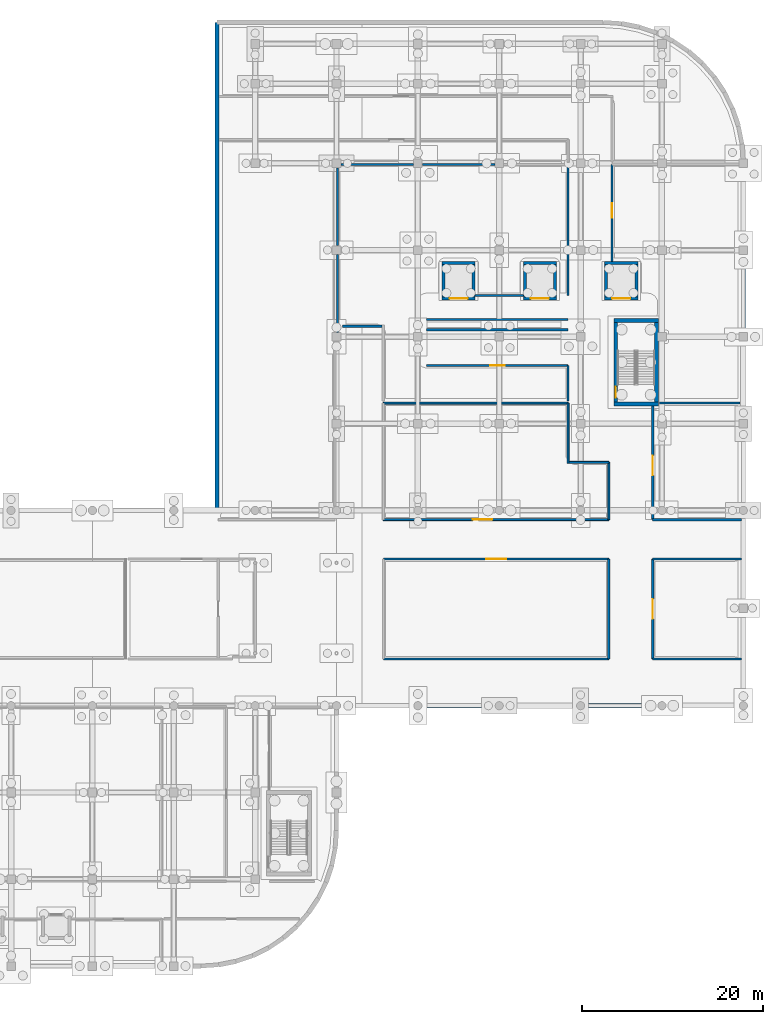
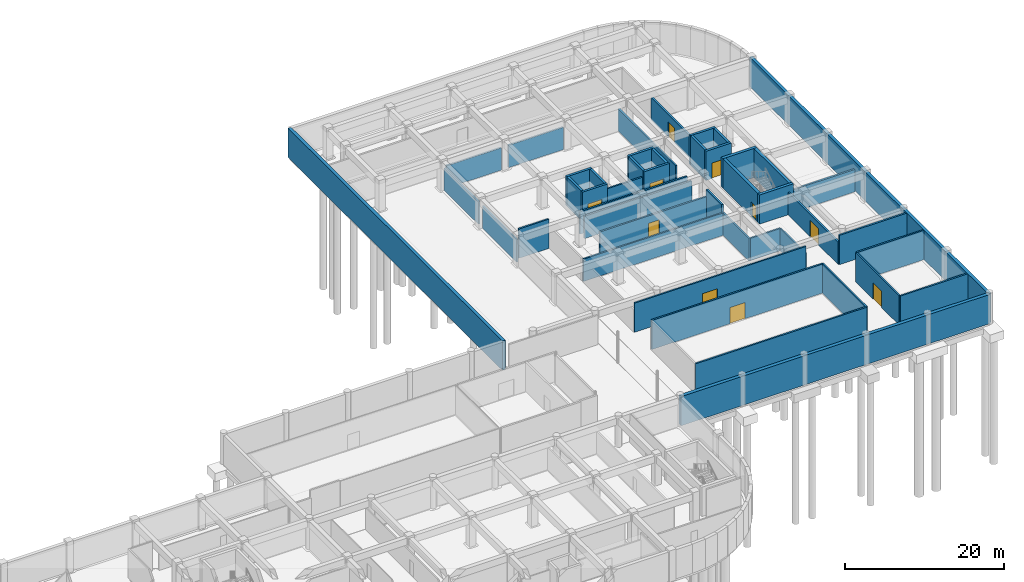
# One storey, part 18 of 47: 45 walls, 10 doors, 10 openings.
"""IFC4 building model written with IfcOpenShell, lengths in metres."""

from ifc_helpers import new_model, si_unit, direction, frame, frame_2d, origin, place, context, subcontext, project, spatial, rectangle, extrude, material, layer, layer_set, type_object, element, fill, save


model = new_model("IFC4")

# Units and contexts
model_context = context("Model", 3, precision=1e-05, world=origin(), true_north=direction((0.0, 1.0)))
body_context = subcontext(model_context, "Body", "Model", "MODEL_VIEW")
ifc_project = project(units=[si_unit("LENGTHUNIT", "METRE"), si_unit("AREAUNIT", "SQUARE_METRE"), si_unit("VOLUMEUNIT", "CUBIC_METRE"), si_unit("PLANEANGLEUNIT", "RADIAN"), si_unit("MASSUNIT", "GRAM", prefix="KILO")], contexts=[model_context])

# Site, building, storey
site_placement = place(None, origin())
site = spatial("IfcSite", under=ifc_project, at=site_placement, CompositionType="ELEMENT")
building_placement = place(site_placement, origin())
building = spatial("IfcBuilding", under=site, at=building_placement, Name="Cendralis Terraced Arcade", CompositionType="ELEMENT")
storey_placement = place(building_placement, frame((0.0, 0.0, -4.800048828125)))
storey = spatial("IfcBuildingStorey", under=building, at=storey_placement, Name="B1", CompositionType="ELEMENT", Elevation=-4.800048828125)

# Wall, opening, door
ifc_material_1 = material(Name="Concrete f'c 42 MPa", Category="concrete")
ifc_layer_1 = layer(ifc_material_1, 0.340087890625, Name="WL-CORE-340")
ifc_layer_set_1 = layer_set([ifc_layer_1], Name="Concrete f'c 42 MPa")
wall_type_1 = type_object("IfcWallType", Name="WL-CORE-340", PredefinedType="SHEAR", material=ifc_layer_set_1)
wall_1_placement = place(storey_placement, frame((132.860107421875, 83.429931640625, 0.0), z_axis=(0.0, 0.0, 1.0), x_axis=(1.0, 0.0, 0.0)))
wall_1 = element("IfcWall", 1, at=wall_1_placement, inside=storey, type_object=wall_type_1, Name="Lift GL-01 Reinforced Concrete Shaft Wall (B1)", PredefinedType="SHEAR", context=body_context, shape_type="SweptSolid", body=[
    extrude(rectangle(XDim=3.679931640625, YDim=0.340087890625, at=frame_2d((1.83984375, 0.0))), origin(), (0.0, 0.0, 1.0), 4.5),
])
opening_1_placement = place(wall_1_placement, frame((0.840087890625, 0.0, 0.0)))
opening_1 = element("IfcOpeningElement", 2, at=opening_1_placement, cuts=wall_1, Name="Opening LD-GL-01-B1", PredefinedType="OPENING", context=body_context, shape_type="SweptSolid", body=[
    extrude(rectangle(XDim=2.0, YDim=2.39990234375, at=frame_2d((1.0, 1.199951171875))), frame((0.0, 0.18212890625, 0.0), z_axis=(0.0, -1.0, 0.0), x_axis=(1.0, 0.0, 0.0)), (0.0, 0.0, 1.0), 0.364013671875),
])
ifc_material_2 = material(Name="Anodised aluminium sliding door assembly", Category="aluminium")
door_type_1 = type_object("IfcDoorType", Name="ID-LD-GD-2000x2400", OperationType="DOUBLE_DOOR_SLIDING", PredefinedType="DOOR", material=ifc_material_2)
door_1_placement = place(opening_1_placement, origin())
door_1 = element("IfcDoor", 3, at=door_1_placement, inside=storey, type_object=door_type_1, Name="Lift GL-01 Sliding Landing Door (B1)", OperationType="DOUBLE_DOOR_SLIDING", OverallHeight=2.39990234375, OverallWidth=2.0, PredefinedType="DOOR", context=body_context, shape_type="SweptSolid", body=[
    extrude(rectangle(XDim=2.0, YDim=2.39990234375, at=frame_2d((1.0, 1.199951171875))), frame((0.0, 0.02490234375, 0.0), z_axis=(0.0, -1.0, 0.0), x_axis=(1.0, 0.0, 0.0)), (0.0, 0.0, 1.0), 0.050048828125),
])
fill(opening_1, door_1)

# Walls
wall_2_placement = place(storey_placement, frame((132.860107421875, 87.3701171875, 0.0), z_axis=(0.0, 0.0, 1.0), x_axis=(1.0, 0.0, 0.0)))
element("IfcWall", 4, at=wall_2_placement, inside=storey, type_object=wall_type_1, Name="Lift GL-01 Reinforced Concrete Shaft Wall (B1)", PredefinedType="SHEAR", context=body_context, shape_type="SweptSolid", body=[
    extrude(rectangle(XDim=3.679931640625, YDim=0.340087890625, at=frame_2d((1.83984375, 0.0))), origin(), (0.0, 0.0, 1.0), 4.5),
])
for number, where, z_axis, x_axis, name in (
    (5, (133.030029296875, 83.60009765625, 0.0), (0.0, 0.0, 1.0), (0.0, 1.0, 0.0), "Lift GL-01 Reinforced Concrete Shaft Wall (B1)"),
    (6, (136.3701171875, 83.60009765625, 0.0), (0.0, 0.0, 1.0), (0.0, 1.0, 0.0), "Lift GL-01 Reinforced Concrete Shaft Wall (B1)"),
):
    element("IfcWall", number, at=place(storey_placement, frame(where, z_axis=z_axis, x_axis=x_axis)), inside=storey, type_object=wall_type_1, Name=name, PredefinedType="SHEAR", context=body_context, shape_type="SweptSolid", body=[
        extrude(rectangle(XDim=3.599853515625, YDim=0.340087890625, at=frame_2d((1.7998046875, 0.0))), origin(), (0.0, 0.0, 1.0), 4.5),
    ])

# Wall, opening, door
wall_3_placement = place(storey_placement, frame((141.860107421875, 83.429931640625, 0.0), z_axis=(0.0, 0.0, 1.0), x_axis=(1.0, 0.0, 0.0)))
wall_3 = element("IfcWall", 7, at=wall_3_placement, inside=storey, type_object=wall_type_1, Name="Lift GL-02 Reinforced Concrete Shaft Wall (B1)", PredefinedType="SHEAR", context=body_context, shape_type="SweptSolid", body=[
    extrude(rectangle(XDim=3.679931640625, YDim=0.340087890625, at=frame_2d((1.83984375, 0.0))), origin(), (0.0, 0.0, 1.0), 4.5),
])
opening_2_placement = place(wall_3_placement, frame((0.840087890625, 0.0, 0.0)))
opening_2 = element("IfcOpeningElement", 8, at=opening_2_placement, cuts=wall_3, Name="Opening LD-GL-02-B1", PredefinedType="OPENING", context=body_context, shape_type="SweptSolid", body=[
    extrude(rectangle(XDim=2.0, YDim=2.39990234375, at=frame_2d((1.0, 1.199951171875))), frame((0.0, 0.18212890625, 0.0), z_axis=(0.0, -1.0, 0.0), x_axis=(1.0, 0.0, 0.0)), (0.0, 0.0, 1.0), 0.364013671875),
])
door_2_placement = place(opening_2_placement, origin())
door_2 = element("IfcDoor", 9, at=door_2_placement, inside=storey, type_object=door_type_1, Name="Lift GL-02 Sliding Landing Door (B1)", OperationType="DOUBLE_DOOR_SLIDING", OverallHeight=2.39990234375, OverallWidth=2.0, PredefinedType="DOOR", context=body_context, shape_type="SweptSolid", body=[
    extrude(rectangle(XDim=2.0, YDim=2.39990234375, at=frame_2d((1.0, 1.199951171875))), frame((0.0, 0.02490234375, 0.0), z_axis=(0.0, -1.0, 0.0), x_axis=(1.0, 0.0, 0.0)), (0.0, 0.0, 1.0), 0.050048828125),
])
fill(opening_2, door_2)

# Walls
wall_4_placement = place(storey_placement, frame((141.860107421875, 87.3701171875, 0.0), z_axis=(0.0, 0.0, 1.0), x_axis=(1.0, 0.0, 0.0)))
element("IfcWall", 10, at=wall_4_placement, inside=storey, type_object=wall_type_1, Name="Lift GL-02 Reinforced Concrete Shaft Wall (B1)", PredefinedType="SHEAR", context=body_context, shape_type="SweptSolid", body=[
    extrude(rectangle(XDim=3.679931640625, YDim=0.340087890625, at=frame_2d((1.83984375, 0.0))), origin(), (0.0, 0.0, 1.0), 4.5),
])
for number, where, z_axis, x_axis, name in (
    (11, (142.030029296875, 83.60009765625, 0.0), (0.0, 0.0, 1.0), (0.0, 1.0, 0.0), "Lift GL-02 Reinforced Concrete Shaft Wall (B1)"),
    (12, (145.3701171875, 83.60009765625, 0.0), (0.0, 0.0, 1.0), (0.0, 1.0, 0.0), "Lift GL-02 Reinforced Concrete Shaft Wall (B1)"),
):
    element("IfcWall", number, at=place(storey_placement, frame(where, z_axis=z_axis, x_axis=x_axis)), inside=storey, type_object=wall_type_1, Name=name, PredefinedType="SHEAR", context=body_context, shape_type="SweptSolid", body=[
        extrude(rectangle(XDim=3.599853515625, YDim=0.340087890625, at=frame_2d((1.7998046875, 0.0))), origin(), (0.0, 0.0, 1.0), 4.5),
    ])

# Wall, opening, door
wall_5_placement = place(storey_placement, frame((150.860107421875, 83.429931640625, 0.0), z_axis=(0.0, 0.0, 1.0), x_axis=(1.0, 0.0, 0.0)))
wall_5 = element("IfcWall", 13, at=wall_5_placement, inside=storey, type_object=wall_type_1, Name="Lift GL-03 Reinforced Concrete Shaft Wall (B1)", PredefinedType="SHEAR", context=body_context, shape_type="SweptSolid", body=[
    extrude(rectangle(XDim=3.679931640625, YDim=0.340087890625, at=frame_2d((1.83984375, 0.0))), origin(), (0.0, 0.0, 1.0), 4.5),
])
opening_3_placement = place(wall_5_placement, frame((0.840087890625, 0.0, 0.0)))
opening_3 = element("IfcOpeningElement", 14, at=opening_3_placement, cuts=wall_5, Name="Opening LD-GL-03-B1", PredefinedType="OPENING", context=body_context, shape_type="SweptSolid", body=[
    extrude(rectangle(XDim=2.0, YDim=2.39990234375, at=frame_2d((1.0, 1.199951171875))), frame((0.0, 0.18212890625, 0.0), z_axis=(0.0, -1.0, 0.0), x_axis=(1.0, 0.0, 0.0)), (0.0, 0.0, 1.0), 0.364013671875),
])
door_3_placement = place(opening_3_placement, origin())
door_3 = element("IfcDoor", 15, at=door_3_placement, inside=storey, type_object=door_type_1, Name="Lift GL-03 Sliding Landing Door (B1)", OperationType="DOUBLE_DOOR_SLIDING", OverallHeight=2.39990234375, OverallWidth=2.0, PredefinedType="DOOR", context=body_context, shape_type="SweptSolid", body=[
    extrude(rectangle(XDim=2.0, YDim=2.39990234375, at=frame_2d((1.0, 1.199951171875))), frame((0.0, 0.02490234375, 0.0), z_axis=(0.0, -1.0, 0.0), x_axis=(1.0, 0.0, 0.0)), (0.0, 0.0, 1.0), 0.050048828125),
])
fill(opening_3, door_3)

# Walls
wall_6_placement = place(storey_placement, frame((150.860107421875, 87.3701171875, 0.0), z_axis=(0.0, 0.0, 1.0), x_axis=(1.0, 0.0, 0.0)))
element("IfcWall", 16, at=wall_6_placement, inside=storey, type_object=wall_type_1, Name="Lift GL-03 Reinforced Concrete Shaft Wall (B1)", PredefinedType="SHEAR", context=body_context, shape_type="SweptSolid", body=[
    extrude(rectangle(XDim=3.679931640625, YDim=0.340087890625, at=frame_2d((1.83984375, 0.0))), origin(), (0.0, 0.0, 1.0), 4.5),
])
for number, where, z_axis, x_axis, name in (
    (17, (151.030029296875, 83.60009765625, 0.0), (0.0, 0.0, 1.0), (0.0, 1.0, 0.0), "Lift GL-03 Reinforced Concrete Shaft Wall (B1)"),
    (18, (154.3701171875, 83.60009765625, 0.0), (0.0, 0.0, 1.0), (0.0, 1.0, 0.0), "Lift GL-03 Reinforced Concrete Shaft Wall (B1)"),
):
    element("IfcWall", number, at=place(storey_placement, frame(where, z_axis=z_axis, x_axis=x_axis)), inside=storey, type_object=wall_type_1, Name=name, PredefinedType="SHEAR", context=body_context, shape_type="SweptSolid", body=[
        extrude(rectangle(XDim=3.599853515625, YDim=0.340087890625, at=frame_2d((1.7998046875, 0.0))), origin(), (0.0, 0.0, 1.0), 4.5),
    ])
ifc_layer_2 = layer(ifc_material_1, 0.419921875, Name="WL-CORE-420")
ifc_layer_set_2 = layer_set([ifc_layer_2], Name="Concrete f'c 42 MPa")
wall_type_2 = type_object("IfcWallType", Name="WL-CORE-420", PredefinedType="SHEAR", material=ifc_layer_set_2)
for number, where, z_axis, x_axis, name in (
    (19, (151.8798828125, 71.7900390625, 0.0), (0.0, 0.0, 1.0), (1.0, 0.0, 0.0), "Stair Core Reinforced Concrete Shear Wall SW-ST-06-B1-S"),
    (20, (151.8798828125, 81.010009765625, 0.0), (0.0, 0.0, 1.0), (1.0, 0.0, 0.0), "Stair Core Reinforced Concrete Shear Wall SW-ST-06-B1-N"),
):
    element("IfcWall", number, at=place(storey_placement, frame(where, z_axis=z_axis, x_axis=x_axis)), inside=storey, type_object=wall_type_2, Name=name, PredefinedType="SHEAR", context=body_context, shape_type="SweptSolid", body=[
        extrude(rectangle(XDim=4.940185546875, YDim=0.419921875, at=frame_2d((2.47021484375, 0.0))), origin(), (0.0, 0.0, 1.0), 4.5),
    ])
wall_7_placement = place(storey_placement, frame((156.610107421875, 72.0, 0.0), z_axis=(0.0, 0.0, 1.0), x_axis=(0.0, 1.0, 0.0)))
element("IfcWall", 21, at=wall_7_placement, inside=storey, type_object=wall_type_2, Name="Stair Core Reinforced Concrete Shear Wall SW-ST-06-B1-E", PredefinedType="SHEAR", context=body_context, shape_type="SweptSolid", body=[
    extrude(rectangle(XDim=8.800048828125, YDim=0.419921875, at=frame_2d((4.39990234375, 0.0))), origin(), (0.0, 0.0, 1.0), 4.5),
])

# Wall, opening, door
wall_8_placement = place(storey_placement, frame((152.090087890625, 72.0, 0.0), z_axis=(0.0, 0.0, 1.0), x_axis=(0.0, 1.0, 0.0)))
wall_8 = element("IfcWall", 22, at=wall_8_placement, inside=storey, type_object=wall_type_2, Name="Stair Core Reinforced Concrete Shear Wall SW-ST-06-B1-W", PredefinedType="SHEAR", context=body_context, shape_type="SweptSolid", body=[
    extrude(rectangle(XDim=8.800048828125, YDim=0.419921875, at=frame_2d((4.39990234375, 0.0))), origin(), (0.0, 0.0, 1.0), 4.5),
])
opening_4_placement = place(wall_8_placement, frame((0.449951171875, 0.0, 0.0)))
opening_4 = element("IfcOpeningElement", 23, at=opening_4_placement, cuts=wall_8, Name="Opening D-ST-06-B1", PredefinedType="OPENING", context=body_context, shape_type="SweptSolid", body=[
    extrude(rectangle(XDim=1.25, YDim=2.199951171875, at=frame_2d((0.625, 1.10009765625))), frame((0.0, 0.221923828125, 0.0), z_axis=(0.0, -1.0, 0.0), x_axis=(1.0, 0.0, 0.0)), (0.0, 0.0, 1.0), 0.44384765625),
])
ifc_material_3 = material(Name="Galvanised fire-rated steel door assembly", Category="steel")
door_type_2 = type_object("IfcDoorType", Name="ID-ST-1250x2200", OperationType="NOTDEFINED", PredefinedType="DOOR", material=ifc_material_3)
door_4_placement = place(opening_4_placement, frame((1.25, 0.0, 0.0), z_axis=(0.0, 0.0, 1.0), x_axis=(-1.0, 0.0, 0.0)))
door_4 = element("IfcDoor", 24, at=door_4_placement, inside=storey, type_object=door_type_2, Name="Protected Stair ST-06 Fire Door (B1)", OperationType="SINGLE_SWING_RIGHT", OverallHeight=2.199951171875, OverallWidth=1.25, PredefinedType="DOOR", context=body_context, shape_type="SweptSolid", body=[
    extrude(rectangle(XDim=1.25, YDim=2.199951171875, at=frame_2d((0.625, 1.10009765625))), frame((0.0, 0.02490234375, 0.0), z_axis=(0.0, -1.0, 0.0), x_axis=(1.0, 0.0, 0.0)), (0.0, 0.0, 1.0), 0.050048828125),
])
fill(opening_4, door_4)

ifc_material_4 = material(Name="Autoclaved aerated concrete blockwork", Category="masonry")
ifc_layer_3 = layer(ifc_material_4, 0.215087890625, Name="WL-FIRE-215")
ifc_layer_set_3 = layer_set([ifc_layer_3], Name="Autoclaved aerated concrete blockwork")
wall_type_3 = type_object("IfcWallType", Name="WL-FIRE-215", PredefinedType="PARTITIONING", material=ifc_layer_set_3)
wall_9_placement = place(storey_placement, frame((151.320068359375, 58.97998046875, 0.0), z_axis=(0.0, 0.0, 1.0), x_axis=(-1.0, 0.0, 0.0)))
wall_9 = element("IfcWall", 25, at=wall_9_placement, inside=storey, type_object=wall_type_3, Name="Interior Partition Wall IW-B1-0160", PredefinedType="PARTITIONING", context=body_context, shape_type="SweptSolid", body=[
    extrude(rectangle(XDim=24.940185546875, YDim=0.215087890625, at=frame_2d((12.47021484375, 0.0))), origin(), (0.0, 0.0, 1.0), 4.5),
])
opening_5_placement = place(wall_9_placement, frame((12.8701171875, 0.0, 0.0)))
opening_5 = element("IfcOpeningElement", 26, at=opening_5_placement, cuts=wall_9, Name="Opening D-B1-052", PredefinedType="OPENING", context=body_context, shape_type="SweptSolid", body=[
    extrude(rectangle(XDim=2.199951171875, YDim=2.5, at=frame_2d((1.10009765625, 1.25))), frame((0.0, 0.11962890625, 0.0), z_axis=(0.0, -1.0, 0.0), x_axis=(1.0, 0.0, 0.0)), (0.0, 0.0, 1.0), 0.239013671875),
])
door_type_3 = type_object("IfcDoorType", Name="ID-STK-2200x2500", OperationType="DOUBLE_DOOR_SINGLE_SWING", PredefinedType="DOOR", material=ifc_material_3)
door_5_placement = place(opening_5_placement, origin())
door_5 = element("IfcDoor", 27, at=door_5_placement, inside=storey, type_object=door_type_3, Name="Central Stockrooms and Automated Picking Door D-B1-052", OperationType="DOUBLE_DOOR_SINGLE_SWING", OverallHeight=2.5, OverallWidth=2.199951171875, PredefinedType="DOOR", context=body_context, shape_type="SweptSolid", body=[
    extrude(rectangle(XDim=2.199951171875, YDim=2.5, at=frame_2d((1.10009765625, 1.25))), frame((0.0, 0.02490234375, 0.0), z_axis=(0.0, -1.0, 0.0), x_axis=(1.0, 0.0, 0.0)), (0.0, 0.0, 1.0), 0.050048828125),
])
fill(opening_5, door_5)

# Walls
wall_10_placement = place(storey_placement, frame((126.3798828125, 71.8798828125, 0.0), z_axis=(0.0, 0.0, 1.0), x_axis=(1.0, 0.0, 0.0)))
element("IfcWall", 28, at=wall_10_placement, inside=storey, type_object=wall_type_3, Name="Interior Partition Wall IW-B1-0161", PredefinedType="PARTITIONING", context=body_context, shape_type="SweptSolid", body=[
    extrude(rectangle(XDim=20.440185546875, YDim=0.215087890625, at=frame_2d((10.22021484375, 0.0))), origin(), (0.0, 0.0, 1.0), 3.43994140625),
])
wall_11_placement = place(storey_placement, frame((151.320068359375, 65.320068359375, 0.0), z_axis=(0.0, 0.0, 1.0), x_axis=(0.0, -1.0, 0.0)))
element("IfcWall", 29, at=wall_11_placement, inside=storey, type_object=wall_type_3, Name="Interior Partition Wall IW-B1-0163", PredefinedType="PARTITIONING", context=body_context, shape_type="SweptSolid", body=[
    extrude(rectangle(XDim=6.340087890625, YDim=0.215087890625, at=frame_2d((3.169921875, 0.0))), origin(), (0.0, 0.0, 1.0), 3.43994140625),
])
wall_12_placement = place(storey_placement, frame((146.820068359375, 71.8798828125, 0.0), z_axis=(0.0, 0.0, 1.0), x_axis=(0.0, -1.0, 0.0)))
element("IfcWall", 30, at=wall_12_placement, inside=storey, type_object=wall_type_3, Name="Interior Partition Wall IW-B1-0164", PredefinedType="PARTITIONING", context=body_context, shape_type="SweptSolid", body=[
    extrude(rectangle(XDim=6.66748046875, YDim=0.215087890625, at=frame_2d((3.333740234375, 0.0))), origin(), (0.0, 0.0, 1.0), 3.43994140625),
])
wall_13_placement = place(storey_placement, frame((146.927490234375, 65.320068359375, 0.0), z_axis=(0.0, 0.0, 1.0), x_axis=(1.0, 0.0, 0.0)))
element("IfcWall", 31, at=wall_13_placement, inside=storey, type_object=wall_type_3, Name="Interior Partition Wall IW-B1-0165", PredefinedType="PARTITIONING", context=body_context, shape_type="SweptSolid", body=[
    extrude(rectangle(XDim=4.392578125, YDim=0.215087890625, at=frame_2d((2.1962890625, 0.0))), origin(), (0.0, 0.0, 1.0), 3.43994140625),
])

# Wall, opening, door
ifc_layer_4 = layer(ifc_material_4, 0.235107421875, Name="WL-FIRE-235")
ifc_layer_set_4 = layer_set([ifc_layer_4], Name="Autoclaved aerated concrete blockwork")
wall_type_4 = type_object("IfcWallType", Name="WL-FIRE-235", PredefinedType="PARTITIONING", material=ifc_layer_set_4)
wall_14_placement = place(storey_placement, frame((126.3798828125, 54.6201171875, 0.0), z_axis=(0.0, 0.0, 1.0), x_axis=(1.0, 0.0, 0.0)))
wall_14 = element("IfcWall", 32, at=wall_14_placement, inside=storey, type_object=wall_type_4, Name="Interior Partition Wall IW-B1-0156", PredefinedType="PARTITIONING", context=body_context, shape_type="SweptSolid", body=[
    extrude(rectangle(XDim=24.940185546875, YDim=0.235107421875, at=frame_2d((12.47021484375, 0.0))), origin(), (0.0, 0.0, 1.0), 4.5),
])
opening_6_placement = place(wall_14_placement, frame((11.3701171875, 0.0, 0.0)))
opening_6 = element("IfcOpeningElement", 33, at=opening_6_placement, cuts=wall_14, Name="Opening D-B1-051", PredefinedType="OPENING", context=body_context, shape_type="SweptSolid", body=[
    extrude(rectangle(XDim=2.199951171875, YDim=2.5, at=frame_2d((1.10009765625, 1.25))), frame((0.0, 0.12939453125, 0.0), z_axis=(0.0, -1.0, 0.0), x_axis=(1.0, 0.0, 0.0)), (0.0, 0.0, 1.0), 0.259033203125),
])
door_6_placement = place(opening_6_placement, origin())
door_6 = element("IfcDoor", 34, at=door_6_placement, inside=storey, type_object=door_type_3, Name="Central Stockrooms and Automated Picking Door D-B1-051", OperationType="DOUBLE_DOOR_SINGLE_SWING", OverallHeight=2.5, OverallWidth=2.199951171875, PredefinedType="DOOR", context=body_context, shape_type="SweptSolid", body=[
    extrude(rectangle(XDim=2.199951171875, YDim=2.5, at=frame_2d((1.10009765625, 1.25))), frame((0.0, 0.02490234375, 0.0), z_axis=(0.0, -1.0, 0.0), x_axis=(1.0, 0.0, 0.0)), (0.0, 0.0, 1.0), 0.050048828125),
])
fill(opening_6, door_6)

# Walls
wall_15_placement = place(storey_placement, frame((151.320068359375, 43.580078125, 0.0), z_axis=(0.0, 0.0, 1.0), x_axis=(-1.0, 0.0, 0.0)))
element("IfcWall", 35, at=wall_15_placement, inside=storey, type_object=wall_type_4, Name="Interior Partition Wall IW-B1-0157", PredefinedType="PARTITIONING", context=body_context, shape_type="SweptSolid", body=[
    extrude(rectangle(XDim=24.940185546875, YDim=0.235107421875, at=frame_2d((12.47021484375, 0.0))), origin(), (0.0, 0.0, 1.0), 4.5),
])
wall_16_placement = place(storey_placement, frame((151.320068359375, 54.6201171875, 0.0), z_axis=(0.0, 0.0, 1.0), x_axis=(0.0, -1.0, 0.0)))
element("IfcWall", 36, at=wall_16_placement, inside=storey, type_object=wall_type_4, Name="Interior Partition Wall IW-B1-0159", PredefinedType="PARTITIONING", context=body_context, shape_type="SweptSolid", body=[
    extrude(rectangle(XDim=11.0400390625, YDim=0.235107421875, at=frame_2d((5.52001953125, 0.0))), origin(), (0.0, 0.0, 1.0), 4.5),
])

# Wall, opening, door
ifc_layer_5 = layer(ifc_material_4, 0.241943359375, Name="WL-FIRE-242")
ifc_layer_set_5 = layer_set([ifc_layer_5], Name="Autoclaved aerated concrete blockwork")
wall_type_5 = type_object("IfcWallType", Name="WL-FIRE-242", PredefinedType="PARTITIONING", material=ifc_layer_set_5)
wall_17_placement = place(storey_placement, frame((156.179931640625, 43.580078125, 0.0), z_axis=(0.0, 0.0, 1.0), x_axis=(0.0, 1.0, 0.0)))
wall_17 = element("IfcWall", 37, at=wall_17_placement, inside=storey, type_object=wall_type_5, Name="Interior Partition Wall IW-B1-0153", PredefinedType="PARTITIONING", context=body_context, shape_type="SweptSolid", body=[
    extrude(rectangle(XDim=11.0400390625, YDim=0.241943359375, at=frame_2d((5.52001953125, 0.0))), origin(), (0.0, 0.0, 1.0), 4.5),
])
opening_7_placement = place(wall_17_placement, frame((4.419921875, 0.0, 0.0)))
opening_7 = element("IfcOpeningElement", 38, at=opening_7_placement, cuts=wall_17, Name="Opening D-B1-050", PredefinedType="OPENING", context=body_context, shape_type="SweptSolid", body=[
    extrude(rectangle(XDim=2.199951171875, YDim=2.5, at=frame_2d((1.10009765625, 1.25))), frame((0.0, 0.1328125, 0.0), z_axis=(0.0, -1.0, 0.0), x_axis=(1.0, 0.0, 0.0)), (0.0, 0.0, 1.0), 0.265869140625),
])
door_7_placement = place(opening_7_placement, origin())
door_7 = element("IfcDoor", 39, at=door_7_placement, inside=storey, type_object=door_type_3, Name="Central Stockrooms and Automated Picking Door D-B1-050", OperationType="DOUBLE_DOOR_SINGLE_SWING", OverallHeight=2.5, OverallWidth=2.199951171875, PredefinedType="DOOR", context=body_context, shape_type="SweptSolid", body=[
    extrude(rectangle(XDim=2.199951171875, YDim=2.5, at=frame_2d((1.10009765625, 1.25))), frame((0.0, 0.02490234375, 0.0), z_axis=(0.0, -1.0, 0.0), x_axis=(1.0, 0.0, 0.0)), (0.0, 0.0, 1.0), 0.050048828125),
])
fill(opening_7, door_7)

# Walls
for number, where, z_axis, x_axis, name in (
    (40, (156.179931640625, 54.6201171875, 0.0), (0.0, 0.0, 1.0), (1.0, 0.0, 0.0), "Interior Partition Wall IW-B1-0154"),
    (41, (165.97509765625, 43.580078125, 0.0), (0.0, 0.0, 1.0), (-1.0, 0.0, 0.0), "Interior Partition Wall IW-B1-0155"),
):
    element("IfcWall", number, at=place(storey_placement, frame(where, z_axis=z_axis, x_axis=x_axis)), inside=storey, type_object=wall_type_5, Name=name, PredefinedType="PARTITIONING", context=body_context, shape_type="SweptSolid", body=[
        extrude(rectangle(XDim=9.795166015625, YDim=0.241943359375, at=frame_2d((4.8974609375, 0.0))), origin(), (0.0, 0.0, 1.0), 4.5),
    ])

# Wall, opening, door
wall_18_placement = place(storey_placement, frame((131.179931640625, 76.02001953125, 0.0), z_axis=(0.0, 0.0, 1.0), x_axis=(1.0, 0.0, 0.0)))
wall_18 = element("IfcWall", 42, at=wall_18_placement, inside=storey, type_object=wall_type_5, Name="Interior Partition Wall IW-B1-0169", PredefinedType="PARTITIONING", context=body_context, shape_type="SweptSolid", body=[
    extrude(rectangle(XDim=15.64013671875, YDim=0.241943359375, at=frame_2d((7.820068359375, 0.0))), origin(), (0.0, 0.0, 1.0), 3.43994140625),
])
opening_8_placement = place(wall_18_placement, frame((7.02001953125, 0.0, 0.0)))
opening_8 = element("IfcOpeningElement", 43, at=opening_8_placement, cuts=wall_18, Name="Opening D-B1-054", PredefinedType="OPENING", context=body_context, shape_type="SweptSolid", body=[
    extrude(rectangle(XDim=1.60009765625, YDim=2.300048828125, at=frame_2d((0.800048828125, 1.14990234375))), frame((0.0, 0.1328125, 0.0), z_axis=(0.0, -1.0, 0.0), x_axis=(1.0, 0.0, 0.0)), (0.0, 0.0, 1.0), 0.265869140625),
])
door_type_4 = type_object("IfcDoorType", Name="ID-PLT-1600x2300", OperationType="DOUBLE_DOOR_SINGLE_SWING", PredefinedType="DOOR", material=ifc_material_3)
door_8_placement = place(opening_8_placement, origin())
door_8 = element("IfcDoor", 44, at=door_8_placement, inside=storey, type_object=door_type_4, Name="Substation, Chiller, Water Tank and Standby Power Plant - North Hall Door D-B1-054", OperationType="DOUBLE_DOOR_SINGLE_SWING", OverallHeight=2.300048828125, OverallWidth=1.60009765625, PredefinedType="DOOR", context=body_context, shape_type="SweptSolid", body=[
    extrude(rectangle(XDim=1.60009765625, YDim=2.300048828125, at=frame_2d((0.800048828125, 1.14990234375))), frame((0.0, 0.02490234375, 0.0), z_axis=(0.0, -1.0, 0.0), x_axis=(1.0, 0.0, 0.0)), (0.0, 0.0, 1.0), 0.050048828125),
])
fill(opening_8, door_8)

# Walls
for number, where, z_axis, x_axis, name in (
    (45, (131.179931640625, 81.1201171875, 0.0), (0.0, 0.0, 1.0), (1.0, 0.0, 0.0), "Interior Partition Wall IW-B1-0170"),
    (46, (146.820068359375, 79.97998046875, 0.0), (0.0, 0.0, 1.0), (-1.0, 0.0, 0.0), "Interior Partition Wall IW-B1-0171"),
):
    element("IfcWall", number, at=place(storey_placement, frame(where, z_axis=z_axis, x_axis=x_axis)), inside=storey, type_object=wall_type_5, Name=name, PredefinedType="PARTITIONING", context=body_context, shape_type="SweptSolid", body=[
        extrude(rectangle(XDim=15.64013671875, YDim=0.241943359375, at=frame_2d((7.820068359375, 0.0))), origin(), (0.0, 0.0, 1.0), 3.43994140625),
    ])
wall_19_placement = place(storey_placement, frame((146.820068359375, 98.280029296875, 0.0), z_axis=(0.0, 0.0, 1.0), x_axis=(0.0, -1.0, 0.0)))
element("IfcWall", 47, at=wall_19_placement, inside=storey, type_object=wall_type_5, Name="Interior Partition Wall IW-B1-0172", PredefinedType="PARTITIONING", context=body_context, shape_type="SweptSolid", body=[
    extrude(rectangle(XDim=14.5, YDim=0.241943359375, at=frame_2d((7.25, 0.0))), origin(), (0.0, 0.0, 1.0), 3.43994140625),
])
wall_20_placement = place(storey_placement, frame((121.320068359375, 79.675048828125, 0.0), z_axis=(0.0, 0.0, 1.0), x_axis=(0.0, 1.0, 0.0)))
element("IfcWall", 48, at=wall_20_placement, inside=storey, type_object=wall_type_5, Name="Interior Partition Wall IW-B1-0173", PredefinedType="PARTITIONING", context=body_context, shape_type="SweptSolid", body=[
    extrude(rectangle(XDim=8.6298828125, YDim=0.241943359375, at=frame_2d((4.31494140625, 0.0))), origin(), (0.0, 0.0, 1.0), 3.43994140625),
])
wall_21_placement = place(storey_placement, frame((141.860107421875, 83.780029296875, 0.0), z_axis=(0.0, 0.0, 1.0), x_axis=(-1.0, 0.0, 0.0)))
element("IfcWall", 49, at=wall_21_placement, inside=storey, type_object=wall_type_5, Name="Interior Partition Wall IW-B1-0176", PredefinedType="PARTITIONING", context=body_context, shape_type="SweptSolid", body=[
    extrude(rectangle(XDim=5.320068359375, YDim=0.241943359375, at=frame_2d((2.66015625, 0.0))), origin(), (0.0, 0.0, 1.0), 3.43994140625),
])
wall_22_placement = place(storey_placement, frame((146.820068359375, 76.02001953125, 0.0), z_axis=(0.0, 0.0, 1.0), x_axis=(0.0, -1.0, 0.0)))
element("IfcWall", 50, at=wall_22_placement, inside=storey, type_object=wall_type_5, Name="Interior Partition Wall IW-B1-0177", PredefinedType="PARTITIONING", context=body_context, shape_type="SweptSolid", body=[
    extrude(rectangle(XDim=3.89990234375, YDim=0.241943359375, at=frame_2d((1.949951171875, 0.0))), origin(), (0.0, 0.0, 1.0), 4.5),
])
wall_23_placement = place(storey_placement, frame((126.259033203125, 80.3798828125, 0.0), z_axis=(0.0, 0.0, 1.0), x_axis=(-1.0, 0.0, 0.0)))
element("IfcWall", 51, at=wall_23_placement, inside=storey, type_object=wall_type_5, Name="Interior Partition Wall IW-B1-0178", PredefinedType="PARTITIONING", context=body_context, shape_type="SweptSolid", body=[
    extrude(rectangle(XDim=4.379150390625, YDim=0.241943359375, at=frame_2d((2.189453125, 0.0))), origin(), (0.0, 0.0, 1.0), 4.5),
])
wall_24_placement = place(storey_placement, frame((121.320068359375, 89.294921875, 0.0), z_axis=(0.0, 0.0, 1.0), x_axis=(0.0, 1.0, 0.0)))
element("IfcWall", 52, at=wall_24_placement, inside=storey, type_object=wall_type_5, Name="Interior Partition Wall IW-B1-0179", PredefinedType="PARTITIONING", context=body_context, shape_type="SweptSolid", body=[
    extrude(rectangle(XDim=8.610107421875, YDim=0.241943359375, at=frame_2d((4.30517578125, 0.0))), origin(), (0.0, 0.0, 1.0), 3.43994140625),
])
for number, where, z_axis, x_axis, name in (
    (53, (121.695068359375, 98.280029296875, 0.0), (0.0, 0.0, 1.0), (1.0, 0.0, 0.0), "Interior Partition Wall IW-B1-0180"),
    (54, (130.695068359375, 98.280029296875, 0.0), (0.0, 0.0, 1.0), (1.0, 0.0, 0.0), "Interior Partition Wall IW-B1-0181"),
):
    element("IfcWall", number, at=place(storey_placement, frame(where, z_axis=z_axis, x_axis=x_axis)), inside=storey, type_object=wall_type_5, Name=name, PredefinedType="PARTITIONING", context=body_context, shape_type="SweptSolid", body=[
        extrude(rectangle(XDim=8.010009765625, YDim=0.241943359375, at=frame_2d((4.0048828125, 0.0))), origin(), (0.0, 0.0, 1.0), 3.43994140625),
    ])

# Wall, opening, door
ifc_layer_6 = layer(ifc_material_4, 0.260009765625, Name="WL-FIRE-260")
ifc_layer_set_6 = layer_set([ifc_layer_6], Name="Autoclaved aerated concrete blockwork")
wall_type_6 = type_object("IfcWallType", Name="WL-FIRE-260", PredefinedType="PARTITIONING", material=ifc_layer_set_6)
wall_25_placement = place(storey_placement, frame((156.179931640625, 58.97998046875, 0.0), z_axis=(0.0, 0.0, 1.0), x_axis=(0.0, 1.0, 0.0)))
wall_25 = element("IfcWall", 55, at=wall_25_placement, inside=storey, type_object=wall_type_6, Name="Interior Partition Wall IW-B1-0150", PredefinedType="PARTITIONING", context=body_context, shape_type="SweptSolid", body=[
    extrude(rectangle(XDim=12.60009765625, YDim=0.260009765625, at=frame_2d((6.300048828125, 0.0))), origin(), (0.0, 0.0, 1.0), 3.43994140625),
])
opening_9_placement = place(wall_25_placement, frame((4.889892578125, 0.0, 0.0)))
opening_9 = element("IfcOpeningElement", 56, at=opening_9_placement, cuts=wall_25, Name="Opening D-B1-049", PredefinedType="OPENING", context=body_context, shape_type="SweptSolid", body=[
    extrude(rectangle(XDim=2.199951171875, YDim=2.5, at=frame_2d((1.10009765625, 1.25))), frame((0.0, 0.14208984375, 0.0), z_axis=(0.0, -1.0, 0.0), x_axis=(1.0, 0.0, 0.0)), (0.0, 0.0, 1.0), 0.283935546875),
])
door_9_placement = place(opening_9_placement, origin())
door_9 = element("IfcDoor", 57, at=door_9_placement, inside=storey, type_object=door_type_3, Name="Central Stockrooms and Automated Picking Door D-B1-049", OperationType="DOUBLE_DOOR_SINGLE_SWING", OverallHeight=2.5, OverallWidth=2.199951171875, PredefinedType="DOOR", context=body_context, shape_type="SweptSolid", body=[
    extrude(rectangle(XDim=2.199951171875, YDim=2.5, at=frame_2d((1.10009765625, 1.25))), frame((0.0, 0.02490234375, 0.0), z_axis=(0.0, -1.0, 0.0), x_axis=(1.0, 0.0, 0.0)), (0.0, 0.0, 1.0), 0.050048828125),
])
fill(opening_9, door_9)

# Walls
wall_26_placement = place(storey_placement, frame((165.97509765625, 58.97998046875, 0.0), z_axis=(0.0, 0.0, 1.0), x_axis=(-1.0, 0.0, 0.0)))
element("IfcWall", 58, at=wall_26_placement, inside=storey, type_object=wall_type_6, Name="Interior Partition Wall IW-B1-0151", PredefinedType="PARTITIONING", context=body_context, shape_type="SweptSolid", body=[
    extrude(rectangle(XDim=9.795166015625, YDim=0.260009765625, at=frame_2d((4.8974609375, 0.0))), origin(), (0.0, 0.0, 1.0), 4.5),
])
wall_27_placement = place(storey_placement, frame((156.926025390625, 71.8798828125, 0.0), z_axis=(0.0, 0.0, 1.0), x_axis=(1.0, 0.0, 0.0)))
element("IfcWall", 59, at=wall_27_placement, inside=storey, type_object=wall_type_6, Name="Interior Partition Wall IW-B1-0152", PredefinedType="PARTITIONING", context=body_context, shape_type="SweptSolid", body=[
    extrude(rectangle(XDim=8.93408203125, YDim=0.260009765625, at=frame_2d((4.467041015625, 0.0))), origin(), (0.0, 0.0, 1.0), 3.43994140625),
])

# Wall, opening, door
wall_28_placement = place(storey_placement, frame((151.679931640625, 87.5400390625, 0.0), z_axis=(0.0, 0.0, 1.0), x_axis=(0.0, 1.0, 0.0)))
wall_28 = element("IfcWall", 60, at=wall_28_placement, inside=storey, type_object=wall_type_6, Name="Interior Partition Wall IW-B1-0166", PredefinedType="PARTITIONING", context=body_context, shape_type="SweptSolid", body=[
    extrude(rectangle(XDim=10.739990234375, YDim=0.260009765625, at=frame_2d((5.3701171875, 0.0))), origin(), (0.0, 0.0, 1.0), 3.43994140625),
])
opening_10_placement = place(wall_28_placement, frame((4.851318359375, 0.0, 0.0)))
opening_10 = element("IfcOpeningElement", 61, at=opening_10_placement, cuts=wall_28, Name="Opening D-B1-053", PredefinedType="OPENING", context=body_context, shape_type="SweptSolid", body=[
    extrude(rectangle(XDim=1.60009765625, YDim=2.300048828125, at=frame_2d((0.800048828125, 1.14990234375))), frame((0.0, 0.14208984375, 0.0), z_axis=(0.0, -1.0, 0.0), x_axis=(1.0, 0.0, 0.0)), (0.0, 0.0, 1.0), 0.283935546875),
])
door_10_placement = place(opening_10_placement, origin())
door_10 = element("IfcDoor", 62, at=door_10_placement, inside=storey, type_object=door_type_4, Name="Substation, Chiller, Water Tank and Standby Power Plant - North Hall Door D-B1-053", OperationType="DOUBLE_DOOR_SINGLE_SWING", OverallHeight=2.300048828125, OverallWidth=1.60009765625, PredefinedType="DOOR", context=body_context, shape_type="SweptSolid", body=[
    extrude(rectangle(XDim=1.60009765625, YDim=2.300048828125, at=frame_2d((0.800048828125, 1.14990234375))), frame((0.0, 0.02490234375, 0.0), z_axis=(0.0, -1.0, 0.0), x_axis=(1.0, 0.0, 0.0)), (0.0, 0.0, 1.0), 0.050048828125),
])
fill(opening_10, door_10)

# Walls
ifc_material_5 = material(Name="Concrete f'c 35 MPa", Category="concrete")
ifc_layer_7 = layer(ifc_material_5, 0.449951171875, Name="WL-RET-450")
ifc_layer_set_7 = layer_set([ifc_layer_7], Name="Concrete f'c 35 MPa")
wall_type_7 = type_object("IfcWallType", Name="WL-RET-450", PredefinedType="USERDEFINED", material=ifc_layer_set_7)
wall_29_placement = place(storey_placement, frame((108.0, 60.0, 0.0), z_axis=(0.0, 0.0, 1.0), x_axis=(0.0, 1.0, 0.0)))
element("IfcWall", 63, at=wall_29_placement, inside=storey, type_object=wall_type_7, Name="Basement Reinforced Concrete Retaining Wall RW-B1-32", ObjectType="RETAINING WALL", PredefinedType="USERDEFINED", context=body_context, shape_type="SweptSolid", body=[
    extrude(rectangle(XDim=54.0, YDim=0.449951171875, at=frame_2d((27.0, 0.0))), origin(), (0.0, 0.0, 1.0), 4.5),
])
wall_30_placement = place(storey_placement, frame((166.199951171875, 98.5, 0.0), z_axis=(0.0, 0.0, 1.0), x_axis=(0.0, -1.0, 0.0)))
element("IfcWall", 64, at=wall_30_placement, inside=storey, type_object=wall_type_7, Name="Basement Reinforced Concrete Retaining Wall RW-B1-46", ObjectType="RETAINING WALL", PredefinedType="USERDEFINED", context=body_context, shape_type="SweptSolid", body=[
    extrude(rectangle(XDim=60.10009765625, YDim=0.449951171875, at=frame_2d((30.050048828125, 0.0))), origin(), (0.0, 0.0, 1.0), 4.5),
])
ifc_layer_8 = layer(ifc_material_5, 0.5, Name="WL-RET-500")
ifc_layer_set_8 = layer_set([ifc_layer_8], Name="Concrete f'c 35 MPa")
wall_type_8 = type_object("IfcWallType", Name="WL-RET-500", PredefinedType="USERDEFINED", material=ifc_layer_set_8)
wall_31_placement = place(storey_placement, frame((166.199951171875, 38.39990234375, 0.0), z_axis=(0.0, 0.0, 1.0), x_axis=(-1.0, 0.0, 0.0)))
element("IfcWall", 65, at=wall_31_placement, inside=storey, type_object=wall_type_8, Name="Basement Reinforced Concrete Retaining Wall RW-B1-47", ObjectType="RETAINING WALL", PredefinedType="USERDEFINED", context=body_context, shape_type="SweptSolid", body=[
    extrude(rectangle(XDim=45.0, YDim=0.5, at=frame_2d((22.5, 0.0))), origin(), (0.0, 0.0, 1.0), 4.5),
])

save(model, "model.ifc")
